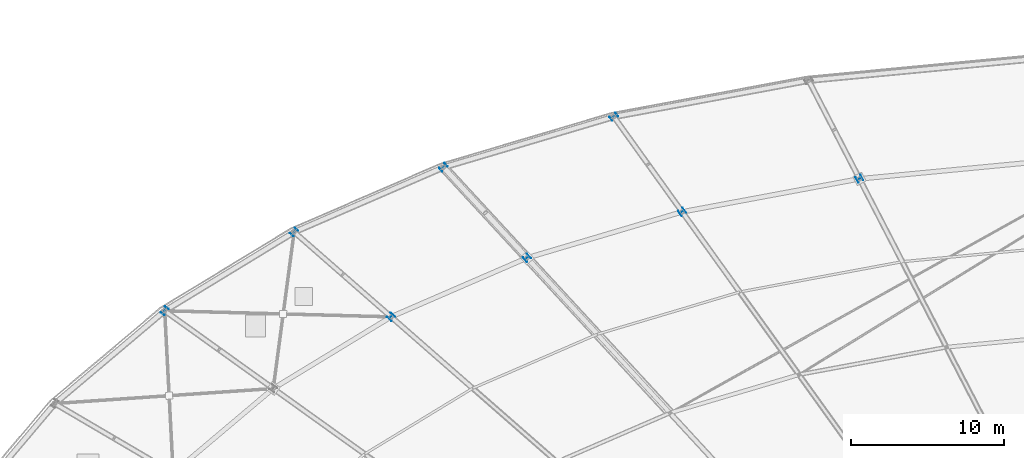
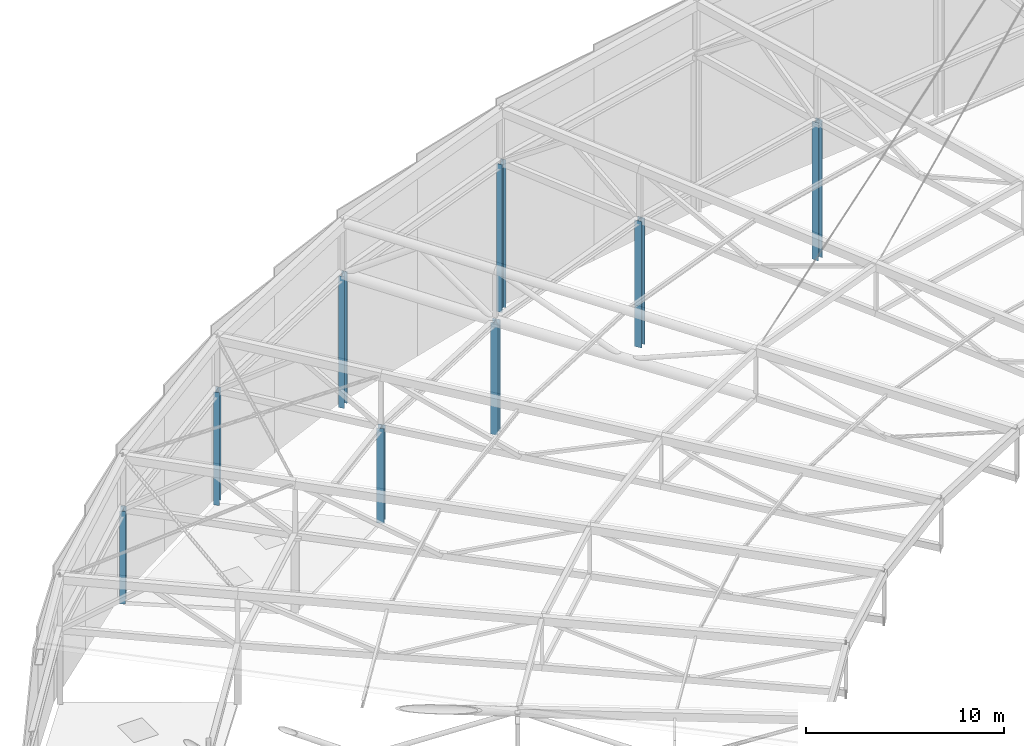
# One storey, part 10 of 143: 8 columns.
"""IFC4 building model written with IfcOpenShell, lengths in metres."""

from ifc_helpers import new_model, si_unit, direction, frame, origin, origin_2d, place, context, subcontext, project, spatial, i_section, extrude, material, material_profile, profile_set, type_object, element, save


model = new_model("IFC4")

# Units and contexts
model_context = context("Model", 3, precision=1e-05, world=origin(), true_north=direction((0.0, 1.0)))
body_context = subcontext(model_context, "Body", "Model", "MODEL_VIEW")
ifc_project = project(units=[si_unit("LENGTHUNIT", "METRE"), si_unit("AREAUNIT", "SQUARE_METRE"), si_unit("VOLUMEUNIT", "CUBIC_METRE"), si_unit("PLANEANGLEUNIT", "RADIAN"), si_unit("MASSUNIT", "GRAM", prefix="KILO")], contexts=[model_context])

# Site, building, storey
site_placement = place(None, origin())
site = spatial("IfcSite", under=ifc_project, at=site_placement, CompositionType="ELEMENT")
building_placement = place(site_placement, origin())
building = spatial("IfcBuilding", under=site, at=building_placement, Name="Mphavela Belvedere Stadium", CompositionType="ELEMENT")
storey_placement = place(building_placement, frame((0.0, 0.0, 28.800048828125)))
storey = spatial("IfcBuildingStorey", under=building, at=storey_placement, Name="RF", CompositionType="ELEMENT", Elevation=28.800048828125)

# Columns
ifc_material_1 = material(Name="Steel S355", Category="steel")
ifc_material_profile_1 = material_profile(ifc_material_1, i_section(OverallWidth=0.39501953125, OverallDepth=0.3798828125, WebThickness=0.0166015625, FlangeThickness=0.02587890625, at=origin_2d()), Name="HD 400x237")
ifc_profile_set_1 = profile_set([ifc_material_profile_1], Name="Steel S355")
column_type_1 = type_object("IfcColumnType", Name="COL-STEEL-HD400", PredefinedType="COLUMN", material=ifc_profile_set_1)
column_1_placement = place(storey_placement, frame((81.249755859375, 152.33544921875, 0.0), z_axis=(0.0, 0.0, 1.0), x_axis=(-0.458959712465, 0.888457079624, 0.0)))
element("IfcColumn", 1, at=column_1_placement, inside=storey, type_object=column_type_1, Name="Roof truss inner support column RF R3-15", PredefinedType="COLUMN", context=body_context, shape_type="SweptSolid", body=[
    extrude(i_section(OverallWidth=0.39501953125, OverallDepth=0.3798828125, WebThickness=0.0166015625, FlangeThickness=0.02587890625, at=origin_2d()), origin(), (0.0, 0.0, 1.0), 8.485595703125),
])
column_2_placement = place(storey_placement, frame((69.662109375, 150.177490234375, 0.0), z_axis=(0.0, 0.0, 1.0), x_axis=(-0.582974127943, 0.812490717577, 0.0)))
element("IfcColumn", 2, at=column_2_placement, inside=storey, type_object=column_type_1, Name="Roof truss inner support column RF R3-16", PredefinedType="COLUMN", context=body_context, shape_type="SweptSolid", body=[
    extrude(i_section(OverallWidth=0.39501953125, OverallDepth=0.3798828125, WebThickness=0.0166015625, FlangeThickness=0.02587890625, at=origin_2d()), origin(), (0.0, 0.0, 1.0), 7.791259765625),
])
column_3_placement = place(storey_placement, frame((59.523681640625, 147.16796875, 0.0), z_axis=(0.0, 0.0, 1.0), x_axis=(-0.677903094969, 0.735151272753, 0.0)))
element("IfcColumn", 3, at=column_3_placement, inside=storey, type_object=column_type_1, Name="Roof truss inner support column RF R3-17", PredefinedType="COLUMN", context=body_context, shape_type="SweptSolid", body=[
    extrude(i_section(OverallWidth=0.39501953125, OverallDepth=0.3798828125, WebThickness=0.0166015625, FlangeThickness=0.02587890625, at=origin_2d()), origin(), (0.0, 0.0, 1.0), 6.88623046875),
])
column_4_placement = place(storey_placement, frame((50.639892578125, 143.31689453125, 0.0), z_axis=(0.0, 0.0, 1.0), x_axis=(-0.752529860433, 0.658558128912, 0.0)))
element("IfcColumn", 4, at=column_4_placement, inside=storey, type_object=column_type_1, Name="Roof truss inner support column RF R3-18", PredefinedType="COLUMN", context=body_context, shape_type="SweptSolid", body=[
    extrude(i_section(OverallWidth=0.39501953125, OverallDepth=0.3798828125, WebThickness=0.0166015625, FlangeThickness=0.02587890625, at=origin_2d()), origin(), (0.0, 0.0, 1.0), 5.832275390625),
])
ifc_material_2 = material(Name="Steel S355", Category="steel")
ifc_material_profile_2 = material_profile(ifc_material_2, i_section(OverallWidth=0.300048828125, OverallDepth=0.5, WebThickness=0.014404296875, FlangeThickness=0.028076171875, at=origin_2d()), Name="HEB 500")
ifc_profile_set_2 = profile_set([ifc_material_profile_2], Name="Steel S355")
column_type_2 = type_object("IfcColumnType", Name="COL-STEEL-HEB500", PredefinedType="COLUMN", material=ifc_profile_set_2)
column_5_placement = place(storey_placement, frame((65.19873046875, 156.39697265625, 0.0), z_axis=(0.0, 0.0, 1.0), x_axis=(-0.582974127943, 0.812490717577, 0.0)))
element("IfcColumn", 5, at=column_5_placement, inside=storey, type_object=column_type_2, Name="Roof truss outer tie-down column RF R4-16", PredefinedType="COLUMN", context=body_context, shape_type="SweptSolid", body=[
    extrude(i_section(OverallWidth=0.300048828125, OverallDepth=0.5, WebThickness=0.014404296875, FlangeThickness=0.028076171875, at=origin_2d()), origin(), (0.0, 0.0, 1.0), 9.10498046875),
])
column_6_placement = place(storey_placement, frame((54.0625, 153.09130859375, 0.0), z_axis=(0.0, 0.0, 1.0), x_axis=(-0.677903094969, 0.735151272753, 0.0)))
element("IfcColumn", 6, at=column_6_placement, inside=storey, type_object=column_type_2, Name="Roof truss outer tie-down column RF R4-17", PredefinedType="COLUMN", context=body_context, shape_type="SweptSolid", body=[
    extrude(i_section(OverallWidth=0.300048828125, OverallDepth=0.5, WebThickness=0.014404296875, FlangeThickness=0.028076171875, at=origin_2d()), origin(), (0.0, 0.0, 1.0), 8.11083984375),
])
column_7_placement = place(storey_placement, frame((44.3037109375, 148.86083984375, 0.0), z_axis=(0.0, 0.0, 1.0), x_axis=(-0.752529860433, 0.658558128912, 0.0)))
element("IfcColumn", 7, at=column_7_placement, inside=storey, type_object=column_type_2, Name="Roof truss outer tie-down column RF R4-18", PredefinedType="COLUMN", context=body_context, shape_type="SweptSolid", body=[
    extrude(i_section(OverallWidth=0.300048828125, OverallDepth=0.5, WebThickness=0.014404296875, FlangeThickness=0.028076171875, at=origin_2d()), origin(), (0.0, 0.0, 1.0), 6.953369140625),
])
column_8_placement = place(storey_placement, frame((35.844482421875, 143.714599609375, 0.0), z_axis=(0.0, 0.0, 1.0), x_axis=(-0.812897512265, 0.582406760395, 0.0)))
element("IfcColumn", 8, at=column_8_placement, inside=storey, type_object=column_type_2, Name="Roof truss outer tie-down column RF R4-19", PredefinedType="COLUMN", context=body_context, shape_type="SweptSolid", body=[
    extrude(i_section(OverallWidth=0.300048828125, OverallDepth=0.5, WebThickness=0.014404296875, FlangeThickness=0.028076171875, at=origin_2d()), origin(), (0.0, 0.0, 1.0), 5.7109375),
])

save(model, "model.ifc")
